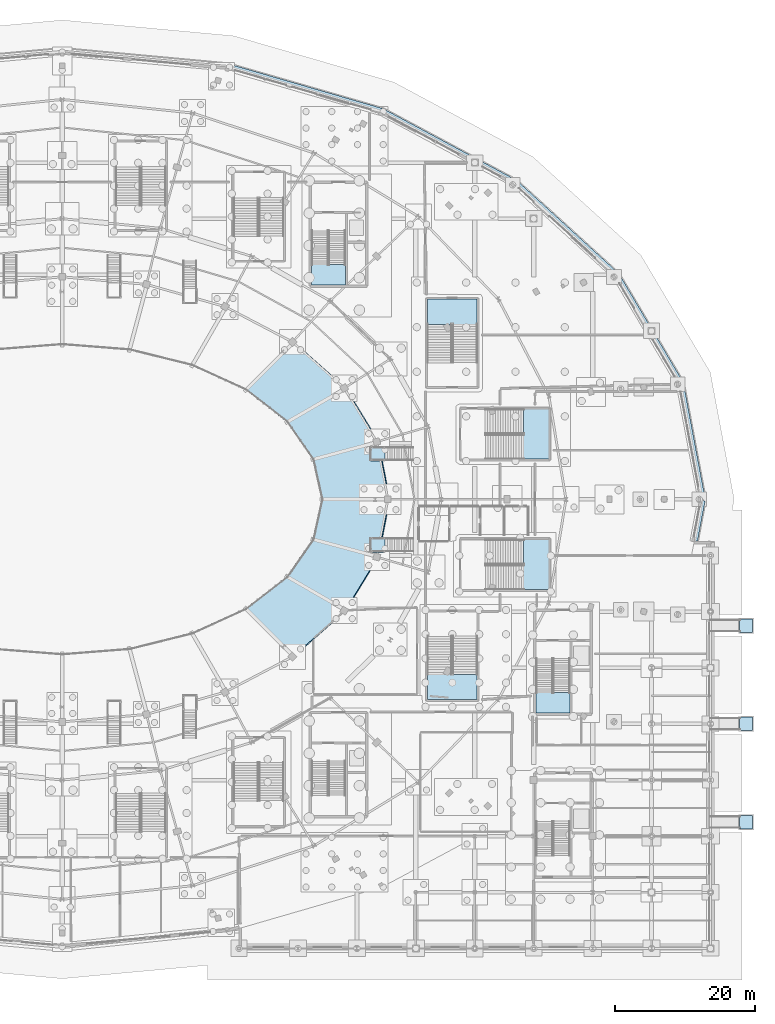
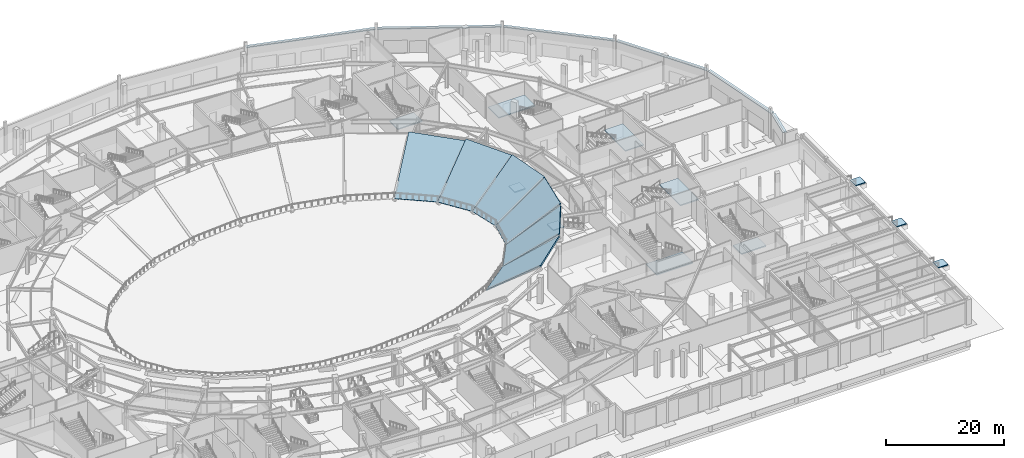
# One storey, part 40 of 93: 17 slabs, 6 plates, 8 elements without a shape of their own.
"""IFC4 building model written with IfcOpenShell, lengths in metres."""

from ifc_helpers import new_model, si_unit, direction, frame, origin, origin_2d, place, context, subcontext, project, spatial, polyline, rectangle, outline, extrude, material, layer, layer_set, type_object, element, aggregate, save


model = new_model("IFC4")

# Units and contexts
model_context = context("Model", 3, precision=1e-05, world=origin(), true_north=direction((0.0, 1.0)))
body_context = subcontext(model_context, "Body", "Model", "MODEL_VIEW")
ifc_project = project(units=[si_unit("LENGTHUNIT", "METRE"), si_unit("AREAUNIT", "SQUARE_METRE"), si_unit("VOLUMEUNIT", "CUBIC_METRE"), si_unit("PLANEANGLEUNIT", "RADIAN"), si_unit("MASSUNIT", "GRAM", prefix="KILO")], contexts=[model_context])

# Site, building, storey
site_placement = place(None, origin())
site = spatial("IfcSite", under=ifc_project, at=site_placement, CompositionType="ELEMENT")
building_placement = place(site_placement, origin())
building = spatial("IfcBuilding", under=site, at=building_placement, Name="Kalgoora Escarpment Arena", CompositionType="ELEMENT")
storey_placement = place(building_placement, origin())
storey = spatial("IfcBuildingStorey", under=building, at=storey_placement, Name="L00", CompositionType="ELEMENT", Elevation=0.0)

# Plates
ifc_material_1 = material(Name="Champagne anodised Art Deco solar brise-soleil hood", Category="aluminium")
ifc_layer_1 = layer(ifc_material_1, 0.1201171875)
ifc_layer_set_1 = layer_set([ifc_layer_1], Name="PLT-DECO-EYEBROW")
plate_type = type_object("IfcPlateType", Name="PLT-DECO-EYEBROW", PredefinedType="SHEET", material=ifc_layer_set_1)
plate_1_placement = place(storey_placement, frame((127.030029296875, 122.535400390625, 4.869873046875), z_axis=(0.0, 0.0, 1.0), x_axis=(0.960488224179, -0.278320626641, 0.0)))
element("IfcPlate", 1, at=plate_1_placement, inside=storey, type_object=plate_type, Name="L00 Art Deco horizontal solar brise-soleil eyebrow 018", PredefinedType="SHEET", context=body_context, shape_type="SweptSolid", body=[
    extrude(rectangle(XDim=22.60107421875, YDim=0.719970703125, at=origin_2d()), origin(), (0.0, 0.0, 1.0), 0.1201171875),
])
plate_2_placement = place(storey_placement, frame((147.4912109375, 114.27099609375, 4.869873046875), z_axis=(0.0, 0.0, 1.0), x_axis=(0.881055904267, -0.47301214948, 0.0)))
element("IfcPlate", 2, at=plate_2_placement, inside=storey, type_object=plate_type, Name="L00 Art Deco horizontal solar brise-soleil eyebrow 019", PredefinedType="SHEET", context=body_context, shape_type="SweptSolid", body=[
    extrude(rectangle(XDim=21.136962890625, YDim=0.719970703125, at=origin_2d()), origin(), (0.0, 0.0, 1.0), 0.1201171875),
])
plate_3_placement = place(storey_placement, frame((164.2021484375, 102.58056640625, 4.869873046875), z_axis=(0.0, 0.0, 1.0), x_axis=(0.739043499209, -0.673657707057, 0.0)))
element("IfcPlate", 3, at=plate_3_placement, inside=storey, type_object=plate_type, Name="L00 Art Deco horizontal solar brise-soleil eyebrow 020", PredefinedType="SHEET", context=body_context, shape_type="SweptSolid", body=[
    extrude(rectangle(XDim=19.31298828125, YDim=0.719970703125, at=origin_2d()), origin(), (0.0, 0.0, 1.0), 0.1201171875),
])
plate_4_placement = place(storey_placement, frame((176.02294921875, 88.25732421875, 4.869873046875), z_axis=(0.0, 0.0, 1.0), x_axis=(0.509492029423, -0.860475375565, 0.0)))
element("IfcPlate", 4, at=plate_4_placement, inside=storey, type_object=plate_type, Name="L00 Art Deco horizontal solar brise-soleil eyebrow 021", PredefinedType="SHEET", context=body_context, shape_type="SweptSolid", body=[
    extrude(rectangle(XDim=17.58203125, YDim=0.719970703125, at=origin_2d()), origin(), (0.0, 0.0, 1.0), 0.1201171875),
])
plate_5_placement = place(storey_placement, frame((182.14453125, 72.27490234375, 4.869873046875), z_axis=(0.0, 0.0, 1.0), x_axis=(0.184980577053, -0.982742176826, 0.0)))
element("IfcPlate", 5, at=plate_5_placement, inside=storey, type_object=plate_type, Name="L00 Art Deco horizontal solar brise-soleil eyebrow 022", PredefinedType="SHEET", context=body_context, shape_type="SweptSolid", body=[
    extrude(rectangle(XDim=16.5029296875, YDim=0.719970703125, at=origin_2d()), origin(), (0.0, 0.0, 1.0), 0.1201171875),
])
plate_6_placement = place(storey_placement, frame((183.1337890625, 60.9814453125, 4.8798828125), z_axis=(0.0, 0.0, 1.0), x_axis=(-0.184980577053, -0.982742176826, 0.0)))
element("IfcPlate", 6, at=plate_6_placement, inside=storey, type_object=plate_type, Name="L00 Art Deco horizontal solar brise-soleil eyebrow 023", PredefinedType="SHEET", context=body_context, shape_type="SweptSolid", body=[
    extrude(rectangle(XDim=5.804931640625, YDim=0.719970703125, at=origin_2d()), origin(), (0.0, 0.0, 1.0), 0.1201171875),
])

# Slabs
ifc_material_2 = material(Name="Concrete N40 (fc' 40 MPa)", Category="concrete")
ifc_layer_2 = layer(ifc_material_2, 0.199951171875)
ifc_layer_set_2 = layer_set([ifc_layer_2], Name="SLB-RAMP-LAND-200")
slab_type_1 = type_object("IfcSlabType", Name="SLB-RAMP-LAND-200", PredefinedType="LANDING", material=ifc_layer_set_2)
slab_1_placement = place(storey_placement, frame((0.0, 0.0, -0.5)))
element("IfcSlab", 7, at=slab_1_placement, inside=storey, type_object=slab_type_1, Name="Accessible ramp RMP-04 lower threshold landing", PredefinedType="LANDING", context=body_context, shape_type="SweptSolid", body=[
    extrude(outline(polyline([(188.89990234375, 17.050048828125), (190.800048828125, 17.050048828125), (190.800048828125, 18.949951171875), (188.89990234375, 18.949951171875), (188.89990234375, 17.050048828125)])), origin(), (0.0, 0.0, 1.0), 0.199951171875),
])
slab_2_placement = place(storey_placement, frame((0.0, 0.0, -0.5)))
element("IfcSlab", 8, at=slab_2_placement, inside=storey, type_object=slab_type_1, Name="Accessible ramp RMP-05 lower threshold landing", PredefinedType="LANDING", context=body_context, shape_type="SweptSolid", body=[
    extrude(outline(polyline([(188.89990234375, 31.050048828125), (190.800048828125, 31.050048828125), (190.800048828125, 32.949951171875), (188.89990234375, 32.949951171875), (188.89990234375, 31.050048828125)])), origin(), (0.0, 0.0, 1.0), 0.199951171875),
])
slab_3_placement = place(storey_placement, frame((0.0, 0.0, -0.5)))
element("IfcSlab", 9, at=slab_3_placement, inside=storey, type_object=slab_type_1, Name="Accessible ramp RMP-06 lower threshold landing", PredefinedType="LANDING", context=body_context, shape_type="SweptSolid", body=[
    extrude(outline(polyline([(188.89990234375, 45.050048828125), (190.800048828125, 45.050048828125), (190.800048828125, 46.949951171875), (188.89990234375, 46.949951171875), (188.89990234375, 45.050048828125)])), origin(), (0.0, 0.0, 1.0), 0.199951171875),
])

# Stair, slab
ifc_material_3 = material(Name="Concrete N40 (fc' 40 MPa)", Category="concrete")
stair_type_1 = type_object("IfcStairType", Name="STR-EXIT-4", PredefinedType="HALF_TURN_STAIR", material=ifc_material_3)
stair_1_placement = place(storey_placement, origin())
stair_1 = element("IfcStair", 10, at=stair_1_placement, inside=storey, type_object=stair_type_1, Name="Fire-isolated exit stair ST04 (L00)", PredefinedType="HALF_TURN_STAIR")
ifc_material_4 = material(Name="Concrete N40 (fc' 40 MPa)", Category="concrete")
ifc_layer_3 = layer(ifc_material_4, 0.219970703125)
ifc_layer_set_3 = layer_set([ifc_layer_3], Name="SLB-ST-LAND-220")
slab_type_2 = type_object("IfcSlabType", Name="SLB-ST-LAND-220", PredefinedType="LANDING", material=ifc_layer_set_3)
slab_4_placement = place(storey_placement, frame((0.0, 0.0, 2.47998046875)))
slab_4 = element("IfcSlab", 11, at=slab_4_placement, type_object=slab_type_2, Name="ST04 L00 half-landing", PredefinedType="LANDING", context=body_context, shape_type="SweptSolid", body=[
    extrude(outline(polyline([(132.75, 97.449951171875), (132.75, 94.550048828125), (127.949951171875, 94.550048828125), (127.949951171875, 97.449951171875), (132.75, 97.449951171875)])), origin(), (0.0, 0.0, 1.0), 0.219970703125),
])
aggregate(stair_1, [slab_4])

ifc_material_5 = material(Name="Concrete N40 (fc' 40 MPa)", Category="concrete")
stair_type_2 = type_object("IfcStairType", Name="STR-EXIT-3", PredefinedType="HALF_TURN_STAIR", material=ifc_material_5)
stair_2_placement = place(storey_placement, origin())
stair_2 = element("IfcStair", 12, at=stair_2_placement, inside=storey, type_object=stair_type_2, Name="Fire-isolated exit stair ST07 (L00)", PredefinedType="HALF_TURN_STAIR")
slab_5_placement = place(storey_placement, frame((0.0, 0.0, 2.47998046875)))
slab_5 = element("IfcSlab", 13, at=slab_5_placement, type_object=slab_type_2, Name="ST07 L00 half-landing", PredefinedType="LANDING", context=body_context, shape_type="SweptSolid", body=[
    extrude(outline(polyline([(164.75, 36.449951171875), (164.75, 33.550048828125), (159.949951171875, 33.550048828125), (159.949951171875, 36.449951171875), (164.75, 36.449951171875)])), origin(), (0.0, 0.0, 1.0), 0.219970703125),
])
aggregate(stair_2, [slab_5])

ifc_material_6 = material(Name="Precast concrete N50 (fc' 50 MPa)", Category="concrete")
stair_type_3 = type_object("IfcStairType", Name="STR-STAD-1", PredefinedType="HALF_TURN_STAIR", material=ifc_material_6)
stair_3_placement = place(storey_placement, origin())
stair_3 = element("IfcStair", 14, at=stair_3_placement, inside=storey, type_object=stair_type_3, Name="Fire-isolated exit stair ST21 (L00)", PredefinedType="HALF_TURN_STAIR")
slab_6_placement = place(storey_placement, frame((0.0, 0.0, 2.47998046875)))
slab_6 = element("IfcSlab", 15, at=slab_6_placement, type_object=slab_type_2, Name="ST21 L00 half-landing", PredefinedType="LANDING", context=body_context, shape_type="SweptSolid", body=[
    extrude(outline(polyline([(158.14501953125, 76.85009765625), (161.75, 76.85009765625), (161.75, 69.75), (158.14501953125, 69.75), (158.14501953125, 76.85009765625)])), origin(), (0.0, 0.0, 1.0), 0.219970703125),
])
aggregate(stair_3, [slab_6])

ifc_material_7 = material(Name="Precast concrete N50 (fc' 50 MPa)", Category="concrete")
stair_type_4 = type_object("IfcStairType", Name="STR-STAD-2", PredefinedType="HALF_TURN_STAIR", material=ifc_material_7)
stair_4_placement = place(storey_placement, origin())
stair_4 = element("IfcStair", 16, at=stair_4_placement, inside=storey, type_object=stair_type_4, Name="Fire-isolated exit stair ST22 (L00)", PredefinedType="HALF_TURN_STAIR")
slab_7_placement = place(storey_placement, frame((0.0, 0.0, 2.47998046875)))
slab_7 = element("IfcSlab", 17, at=slab_7_placement, type_object=slab_type_2, Name="ST22 L00 half-landing", PredefinedType="LANDING", context=body_context, shape_type="SweptSolid", body=[
    extrude(outline(polyline([(158.14501953125, 58.25), (161.75, 58.25), (161.75, 51.14990234375), (158.14501953125, 51.14990234375), (158.14501953125, 58.25)])), origin(), (0.0, 0.0, 1.0), 0.219970703125),
])
aggregate(stair_4, [slab_7])

ifc_material_8 = material(Name="Precast concrete N50 (fc' 50 MPa)", Category="concrete")
stair_type_5 = type_object("IfcStairType", Name="STR-STAD-3", PredefinedType="HALF_TURN_STAIR", material=ifc_material_8)
stair_5_placement = place(storey_placement, origin())
stair_5 = element("IfcStair", 18, at=stair_5_placement, inside=storey, type_object=stair_type_5, Name="Fire-isolated exit stair ST23 (L00)", PredefinedType="HALF_TURN_STAIR")
slab_8_placement = place(storey_placement, frame((0.0, 0.0, 2.47998046875)))
slab_8 = element("IfcSlab", 19, at=slab_8_placement, type_object=slab_type_2, Name="ST23 L00 half-landing", PredefinedType="LANDING", context=body_context, shape_type="SweptSolid", body=[
    extrude(outline(polyline([(144.449951171875, 88.945068359375), (144.449951171875, 92.550048828125), (151.550048828125, 92.550048828125), (151.550048828125, 88.945068359375), (144.449951171875, 88.945068359375)])), origin(), (0.0, 0.0, 1.0), 0.219970703125),
])
aggregate(stair_5, [slab_8])

ifc_material_9 = material(Name="Precast concrete N50 (fc' 50 MPa)", Category="concrete")
stair_type_6 = type_object("IfcStairType", Name="STR-STAD-4", PredefinedType="HALF_TURN_STAIR", material=ifc_material_9)
stair_6_placement = place(storey_placement, origin())
stair_6 = element("IfcStair", 20, at=stair_6_placement, inside=storey, type_object=stair_type_6, Name="Fire-isolated exit stair ST24 (L00)", PredefinedType="HALF_TURN_STAIR")
slab_9_placement = place(storey_placement, frame((0.0, 0.0, 2.47998046875)))
slab_9 = element("IfcSlab", 21, at=slab_9_placement, type_object=slab_type_2, Name="ST24 L00 half-landing", PredefinedType="LANDING", context=body_context, shape_type="SweptSolid", body=[
    extrude(outline(polyline([(151.550048828125, 39.054931640625), (151.550048828125, 35.449951171875), (144.449951171875, 35.449951171875), (144.449951171875, 39.054931640625), (151.550048828125, 39.054931640625)])), origin(), (0.0, 0.0, 1.0), 0.219970703125),
])
aggregate(stair_6, [slab_9])

ifc_material_10 = material(Name="Precast concrete N50 (fc' 50 MPa)", Category="concrete")
stair_type_7 = type_object("IfcStairType", Name="STR-VOM-1920", PredefinedType="STRAIGHT_RUN_STAIR", material=ifc_material_10)
stair_7_placement = place(storey_placement, origin())
stair_7 = element("IfcStair", 22, at=stair_7_placement, inside=storey, type_object=stair_type_7, Name="Bowl vomitory stair VST11", PredefinedType="STRAIGHT_RUN_STAIR")
slab_10_placement = place(storey_placement, frame((0.0, 0.0, 1.72998046875)))
slab_10 = element("IfcSlab", 23, at=slab_10_placement, type_object=slab_type_2, Name="Vomitory stair VST11 upper landing", PredefinedType="LANDING", context=body_context, shape_type="SweptSolid", body=[
    extrude(outline(polyline([(136.340087890625, 56.449951171875), (138.43994140625, 56.449951171875), (138.43994140625, 58.550048828125), (136.340087890625, 58.550048828125), (136.340087890625, 56.449951171875)])), origin(), (0.0, 0.0, 1.0), 0.219970703125),
])
aggregate(stair_7, [slab_10])

stair_8_placement = place(storey_placement, origin())
stair_8 = element("IfcStair", 24, at=stair_8_placement, inside=storey, type_object=stair_type_7, Name="Bowl vomitory stair VST12", PredefinedType="STRAIGHT_RUN_STAIR")
slab_11_placement = place(storey_placement, frame((0.0, 0.0, 1.72998046875)))
slab_11 = element("IfcSlab", 25, at=slab_11_placement, type_object=slab_type_2, Name="Vomitory stair VST12 upper landing", PredefinedType="LANDING", context=body_context, shape_type="SweptSolid", body=[
    extrude(outline(polyline([(136.340087890625, 69.449951171875), (138.43994140625, 69.449951171875), (138.43994140625, 71.550048828125), (136.340087890625, 71.550048828125), (136.340087890625, 69.449951171875)])), origin(), (0.0, 0.0, 1.0), 0.219970703125),
])
aggregate(stair_8, [slab_11])

# Slabs
ifc_material_11 = material(Name="Precast concrete N50 (fc' 50 MPa)", Category="concrete")
ifc_layer_4 = layer(ifc_material_11, 0.2099609375)
ifc_layer_set_4 = layer_set([ifc_layer_4], Name="SLB-TIER-LOW-A")
slab_type_3 = type_object("IfcSlabType", Name="SLB-TIER-LOW-A", PredefinedType="USERDEFINED", material=ifc_layer_set_4)
slab_12_placement = place(storey_placement, frame((129.39990234375, 64.0, 0.679931640625), z_axis=(-0.575552443804, -0.127427842977, 0.807775667661), x_axis=(-0.216147140789, 0.976360800793, 1.4280834e-05)))
element("IfcSlab", 26, at=slab_12_placement, inside=storey, type_object=slab_type_3, Name="Stand Lower Tier Sector 01", ObjectType="SEATING TIER", PredefinedType="USERDEFINED", context=body_context, shape_type="SweptSolid", body=[
    extrude(outline(polyline([(0.0, 0.0), (5.831941075386856, 1.1102230246251565e-16), (6.2536570710743264, -11.872863025693107), (-2.0749359775278844, -11.60359073905752), (0.0, 0.0)])), origin(), (0.0, 0.0, -1.0), 0.2099609375),
])
slab_13_placement = place(storey_placement, frame((124.44287109375, 75.0, 0.679931640625), z_axis=(-0.373604283584, -0.482140261874, 0.792439655222), x_axis=(-0.790452078359, 0.612523886684, 7.754139e-06)))
element("IfcSlab", 27, at=slab_13_placement, inside=storey, type_object=slab_type_3, Name="Stand Lower Tier Sector 03", ObjectType="SEATING TIER", PredefinedType="USERDEFINED", context=body_context, shape_type="SweptSolid", body=[
    extrude(outline(polyline([(0.0, 0.0), (7.43866727352821, 4.440892098500626e-16), (6.230739278501272, -12.01822157119908), (-3.631593186676156, -11.214312883460988), (0.0, 0.0)])), origin(), (0.0, 0.0, -1.0), 0.2099609375),
])
slab_14_placement = place(storey_placement, frame((124.44287109375, 53.0, 0.679931640625), z_axis=(-0.477267108075, 0.33249364165, 0.813427369721), x_axis=(0.5716301185, 0.820511430499, 6.663168e-06)))
element("IfcSlab", 28, at=slab_14_placement, inside=storey, type_object=slab_type_3, Name="Stand Lower Tier Sector 23", ObjectType="SEATING TIER", PredefinedType="USERDEFINED", context=body_context, shape_type="SweptSolid", body=[
    extrude(outline(polyline([(0.0, 0.0), (6.466608042783234, 0.0), (9.728550159491217, -11.09954593316025), (0.8140633550622908, -11.75953159688381), (0.0, 0.0)])), origin(), (0.0, 0.0, -1.0), 0.2099609375),
])
ifc_material_12 = material(Name="Precast concrete N50 (fc' 50 MPa)", Category="concrete")
ifc_layer_5 = layer(ifc_material_12, 0.22998046875)
ifc_layer_set_5 = layer_set([ifc_layer_5], Name="SLB-TIER-LOW-B")
slab_type_4 = type_object("IfcSlabType", Name="SLB-TIER-LOW-B", PredefinedType="USERDEFINED", material=ifc_layer_set_5)
slab_15_placement = place(storey_placement, frame((128.139404296875, 69.694091796875, 0.679931640625), z_axis=(-0.495480667466, -0.345175697622, 0.797090111555), x_axis=(-0.571627118854, 0.820513520222, -1.111498e-05)))
element("IfcSlab", 29, at=slab_15_placement, inside=storey, type_object=slab_type_4, Name="Stand Lower Tier Sector 02", ObjectType="SEATING TIER", PredefinedType="USERDEFINED", context=body_context, shape_type="SweptSolid", body=[
    extrude(outline(polyline([(0.0, 0.0), (6.466608042371481, -4.440892098500626e-16), (5.65254468808086, -12.00053049486565), (-3.2619421177391894, -11.327088227064712), (0.0, 0.0)])), origin(), (0.0, 0.0, -1.0), 0.22998046875),
])
slab_16_placement = place(storey_placement, frame((118.56298828125, 48.443603515625, 0.679931640625), z_axis=(-0.357316925902, 0.46111012533, 0.812220454545), x_axis=(0.790449330545, 0.612527432722, -2.06397e-06)))
element("IfcSlab", 30, at=slab_16_placement, inside=storey, type_object=slab_type_4, Name="Stand Lower Tier Sector 22", ObjectType="SEATING TIER", PredefinedType="USERDEFINED", context=body_context, shape_type="SweptSolid", body=[
    extrude(outline(polyline([(0.0, 0.0), (7.438667273860316, -4.440892098500626e-16), (11.070260459710125, -10.941260894875048), (1.2079279956372202, -11.725495650629664), (0.0, 0.0)])), origin(), (0.0, 0.0, -1.0), 0.22998046875),
])
slab_17_placement = place(storey_placement, frame((128.139404296875, 58.305908203125, 0.679931640625), z_axis=(-0.566924848449, 0.125514535051, 0.814151286741), x_axis=(0.216145094215, 0.976361253897, -1.1673561e-05)))
element("IfcSlab", 31, at=slab_17_placement, inside=storey, type_object=slab_type_4, Name="Stand Lower Tier Sector 24", ObjectType="SEATING TIER", PredefinedType="USERDEFINED", context=body_context, shape_type="SweptSolid", body=[
    extrude(outline(polyline([(0.0, 0.0), (5.831941075698769, 2.220446049250313e-16), (7.906877052491852, -11.512743372778834), (-0.4217159950410898, -11.779870530012381), (0.0, 0.0)])), origin(), (0.0, 0.0, -1.0), 0.22998046875),
])

save(model, "model.ifc")
